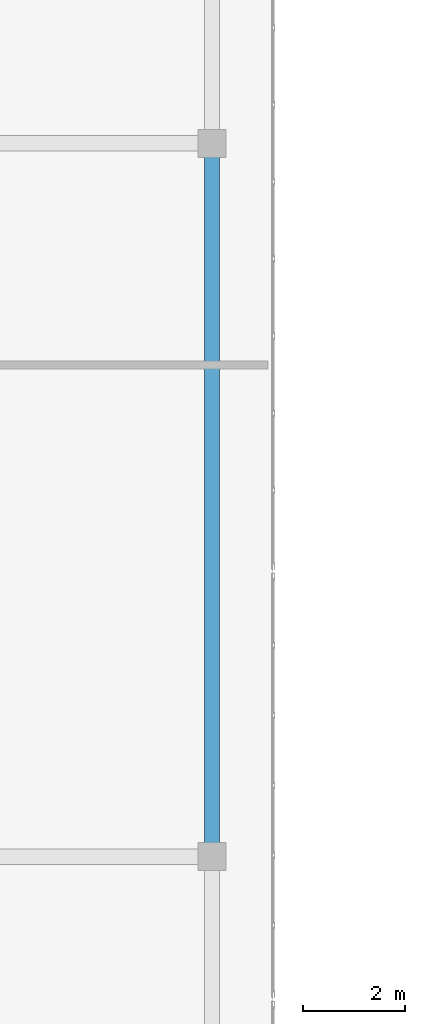
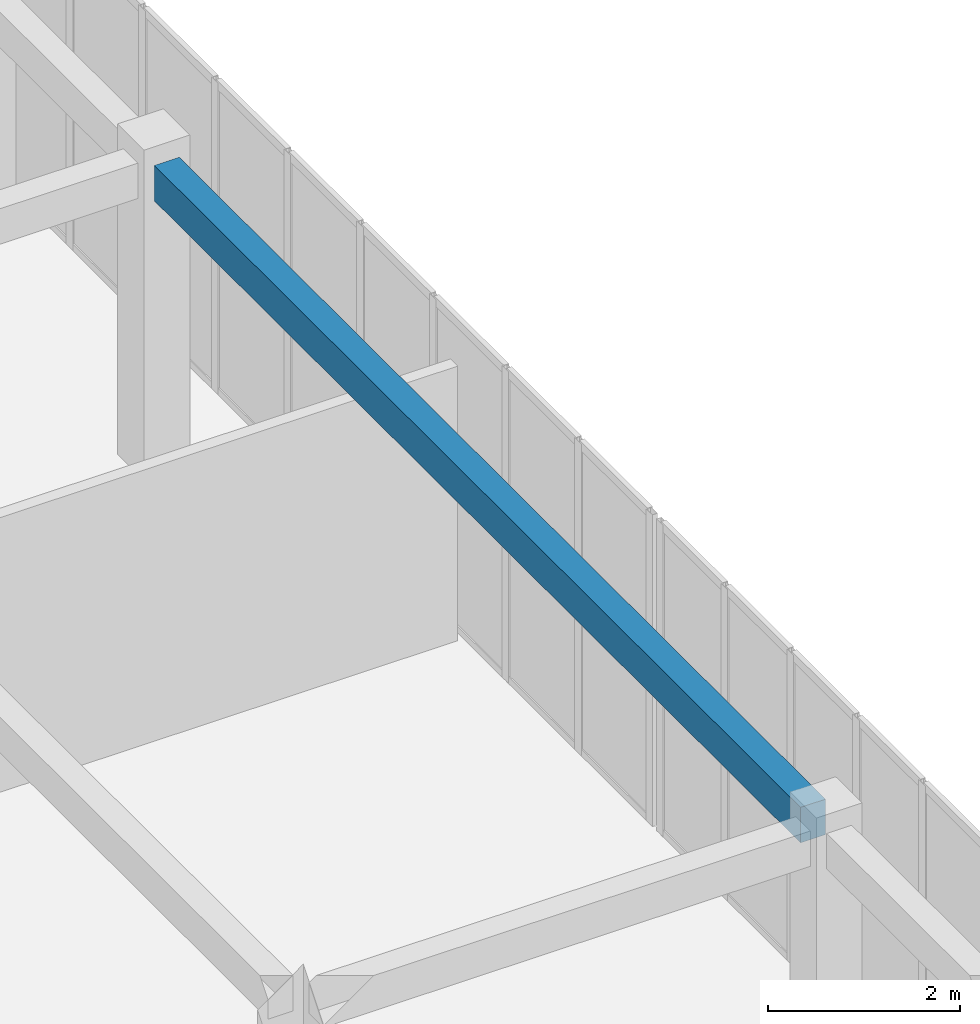
# One storey, part 45 of 140: 1 beam.
"""IFC4 building model written with IfcOpenShell, lengths in metres."""

from ifc_helpers import new_model, si_unit, direction, frame, origin, origin_2d, place, context, subcontext, project, spatial, rectangle, extrude, material, material_profile, profile_set, type_object, element, save


model = new_model("IFC4")

# Units and contexts
model_context = context("Model", 3, precision=1e-05, world=origin(), true_north=direction((0.0, 1.0)))
body_context = subcontext(model_context, "Body", "Model", "MODEL_VIEW")
ifc_project = project(units=[si_unit("LENGTHUNIT", "METRE"), si_unit("AREAUNIT", "SQUARE_METRE"), si_unit("VOLUMEUNIT", "CUBIC_METRE"), si_unit("PLANEANGLEUNIT", "RADIAN"), si_unit("MASSUNIT", "GRAM", prefix="KILO")], contexts=[model_context])

# Site, building, storey
site_placement = place(None, origin())
site = spatial("IfcSite", under=ifc_project, at=site_placement, CompositionType="ELEMENT")
building_placement = place(site_placement, origin())
building = spatial("IfcBuilding", under=site, at=building_placement, Name="Trelvath General Hospital", CompositionType="ELEMENT")
storey_placement = place(building_placement, frame((0.0, 0.0, 16.199951171875)))
storey = spatial("IfcBuildingStorey", under=building, at=storey_placement, Name="L04", CompositionType="ELEMENT", Elevation=16.199951171875)

# Beam
ifc_material = material(Name="Concrete C35/45", Category="concrete")
ifc_material_profile = material_profile(ifc_material, rectangle(XDim=0.300048828125, YDim=0.449951171875, at=origin_2d()), Name="RCB300x450")
ifc_profile_set = profile_set([ifc_material_profile], Name="Concrete C35/45")
beam_type = type_object("IfcBeamType", Name="Beam RC300x450", PredefinedType="BEAM", material=ifc_profile_set)
beam_placement = place(storey_placement, frame((113.60009765625, 45.071044921875, 3.735107421875), z_axis=(0.0, 1.0, 0.0), x_axis=(-1.0, 0.0, 0.0)))
element("IfcBeam", 1, at=beam_placement, inside=storey, type_object=beam_type, Name="Cube Interior Ring Beam CUBE-E-T1 L04", PredefinedType="BEAM", context=body_context, shape_type="SweptSolid", body=[
    extrude(rectangle(XDim=0.300048828125, YDim=0.449951171875, at=origin_2d()), origin(), (0.0, 0.0, 1.0), 13.4580078125),
])

save(model, "model.ifc")
